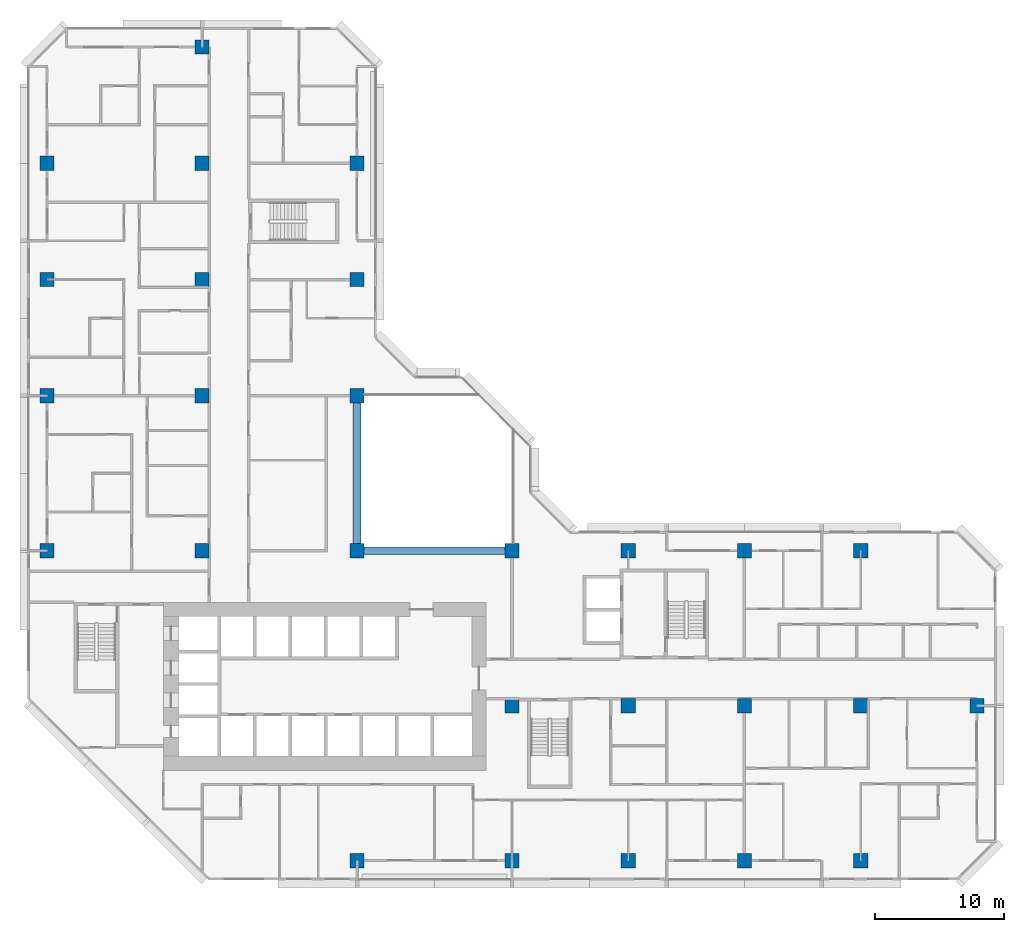
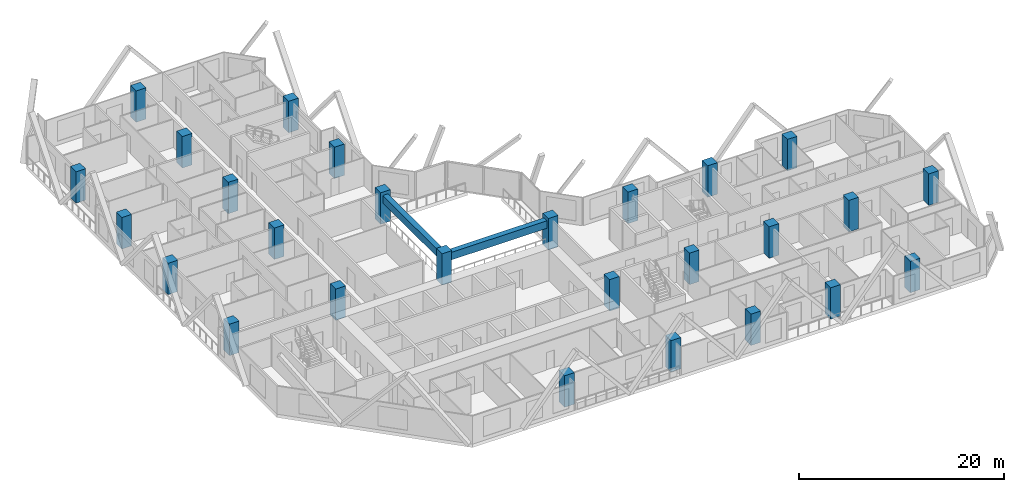
# One storey, part 1 of 15: 27 columns, 2 beams.
"""IFC4 building model written with IfcOpenShell, lengths in metres."""

from ifc_helpers import new_model, si_unit, direction, frame, origin, origin_2d, place, context, subcontext, project, spatial, rectangle, extrude, material, material_profile, profile_set, type_object, element, save


model = new_model("IFC4")

# Units and contexts
model_context = context("Model", 3, precision=1e-05, world=origin(), true_north=direction((0.0, 1.0)))
body_context = subcontext(model_context, "Body", "Model", "MODEL_VIEW")
ifc_project = project(units=[si_unit("LENGTHUNIT", "METRE"), si_unit("AREAUNIT", "SQUARE_METRE"), si_unit("VOLUMEUNIT", "CUBIC_METRE"), si_unit("PLANEANGLEUNIT", "RADIAN"), si_unit("MASSUNIT", "GRAM", prefix="KILO")], contexts=[model_context])

# Site, building, storey
site_placement = place(None, origin())
site = spatial("IfcSite", under=ifc_project, at=site_placement, CompositionType="ELEMENT")
building_placement = place(site_placement, origin())
building = spatial("IfcBuilding", under=site, at=building_placement, Name="Chenar Terraces", CompositionType="ELEMENT")
storey_placement = place(building_placement, frame((0.0, 0.0, 48.89990234375)))
storey = spatial("IfcBuildingStorey", under=building, at=storey_placement, Name="L09", CompositionType="ELEMENT", Elevation=48.89990234375)

# Columns
ifc_material_1 = material(Name="Concrete C70/85", Category="concrete")
ifc_material_profile_1 = material_profile(ifc_material_1, rectangle(XDim=1.10009765625, YDim=1.10009765625, at=origin_2d()), Name="C 1100 x 1100")
ifc_profile_set_1 = profile_set([ifc_material_profile_1], Name="Concrete C70/85")
column_type = type_object("IfcColumnType", Name="Column C 1100 x 1100 Concrete C70/85", PredefinedType="COLUMN", material=ifc_profile_set_1)
column_1_placement = place(storey_placement, frame((0.0, 24.0, 0.0), z_axis=(0.0, 0.0, 1.0), x_axis=(1.0, 0.0, 0.0)))
element("IfcColumn", 1, at=column_1_placement, inside=storey, type_object=column_type, Name="Column 5/G L09", PredefinedType="COLUMN", context=body_context, shape_type="SweptSolid", body=[
    extrude(rectangle(XDim=1.10009765625, YDim=1.10009765625, at=origin_2d()), origin(), (0.0, 0.0, 1.0), 3.75),
])
column_2_placement = place(storey_placement, frame((0.0, 36.0, 0.0), z_axis=(0.0, 0.0, 1.0), x_axis=(1.0, 0.0, 0.0)))
element("IfcColumn", 2, at=column_2_placement, inside=storey, type_object=column_type, Name="Column 5/H L09", PredefinedType="COLUMN", context=body_context, shape_type="SweptSolid", body=[
    extrude(rectangle(XDim=1.10009765625, YDim=1.10009765625, at=origin_2d()), origin(), (0.0, 0.0, 1.0), 3.75),
])
column_3_placement = place(storey_placement, frame((0.0, 45.0, 0.0), z_axis=(0.0, 0.0, 1.0), x_axis=(1.0, 0.0, 0.0)))
element("IfcColumn", 3, at=column_3_placement, inside=storey, type_object=column_type, Name="Column 5/J L09", PredefinedType="COLUMN", context=body_context, shape_type="SweptSolid", body=[
    extrude(rectangle(XDim=1.10009765625, YDim=1.10009765625, at=origin_2d()), origin(), (0.0, 0.0, 1.0), 3.75),
])
for number, where, z_axis, x_axis, name in (
    (4, (0.0, 54.0, 0.0), (0.0, 0.0, 1.0), (1.0, 0.0, 0.0), "Column 5/K L09"),
    (5, (12.0, 24.0, 0.0), (0.0, 0.0, 1.0), (1.0, 0.0, 0.0), "Column 6/G L09"),
    (6, (12.0, 36.0, 0.0), (0.0, 0.0, 1.0), (1.0, 0.0, 0.0), "Column 6/H L09"),
    (7, (12.0, 45.0, 0.0), (0.0, 0.0, 1.0), (1.0, 0.0, 0.0), "Column 6/J L09"),
    (8, (12.0, 54.0, 0.0), (0.0, 0.0, 1.0), (1.0, 0.0, 0.0), "Column 6/K L09"),
    (9, (12.0, 63.0, 0.0), (0.0, 0.0, 1.0), (1.0, 0.0, 0.0), "Column 6/L L09"),
    (10, (24.0, 0.0, 0.0), (0.0, 0.0, 1.0), (1.0, 0.0, 0.0), "Column 7/E L09"),
    (11, (24.0, 24.0, 0.0), (0.0, 0.0, 1.0), (1.0, 0.0, 0.0), "Column 7/G L09"),
    (12, (24.0, 36.0, 0.0), (0.0, 0.0, 1.0), (1.0, 0.0, 0.0), "Column 7/H L09"),
    (13, (24.0, 45.0, 0.0), (0.0, 0.0, 1.0), (1.0, 0.0, 0.0), "Column 7/J L09"),
    (14, (24.0, 54.0, 0.0), (0.0, 0.0, 1.0), (1.0, 0.0, 0.0), "Column 7/K L09"),
    (15, (36.0, 0.0, 0.0), (0.0, 0.0, 1.0), (1.0, 0.0, 0.0), "Column 8/E L09"),
    (16, (36.0, 12.0, 0.0), (0.0, 0.0, 1.0), (1.0, 0.0, 0.0), "Column 8/F L09"),
    (17, (36.0, 24.0, 0.0), (0.0, 0.0, 1.0), (1.0, 0.0, 0.0), "Column 8/G L09"),
    (18, (45.0, 0.0, 0.0), (0.0, 0.0, 1.0), (1.0, 0.0, 0.0), "Column 9/E L09"),
    (19, (45.0, 12.0, 0.0), (0.0, 0.0, 1.0), (1.0, 0.0, 0.0), "Column 9/F L09"),
    (20, (45.0, 24.0, 0.0), (0.0, 0.0, 1.0), (1.0, 0.0, 0.0), "Column 9/G L09"),
    (21, (54.0, 0.0, 0.0), (0.0, 0.0, 1.0), (1.0, 0.0, 0.0), "Column 10/E L09"),
    (22, (54.0, 12.0, 0.0), (0.0, 0.0, 1.0), (1.0, 0.0, 0.0), "Column 10/F L09"),
    (23, (54.0, 24.0, 0.0), (0.0, 0.0, 1.0), (1.0, 0.0, 0.0), "Column 10/G L09"),
    (24, (63.0, 0.0, 0.0), (0.0, 0.0, 1.0), (1.0, 0.0, 0.0), "Column 11/E L09"),
    (25, (63.0, 12.0, 0.0), (0.0, 0.0, 1.0), (1.0, 0.0, 0.0), "Column 11/F L09"),
    (26, (63.0, 24.0, 0.0), (0.0, 0.0, 1.0), (1.0, 0.0, 0.0), "Column 11/G L09"),
    (27, (72.0, 12.0, 0.0), (0.0, 0.0, 1.0), (1.0, 0.0, 0.0), "Column 12/F L09"),
):
    element("IfcColumn", number, at=place(storey_placement, frame(where, z_axis=z_axis, x_axis=x_axis)), inside=storey, type_object=column_type, Name=name, PredefinedType="COLUMN", context=body_context, shape_type="SweptSolid", body=[
        extrude(rectangle(XDim=1.10009765625, YDim=1.10009765625, at=origin_2d()), origin(), (0.0, 0.0, 1.0), 3.75),
    ])

# Beams
ifc_material_2 = material(Name="Concrete C40/50", Category="concrete")
ifc_material_profile_2 = material_profile(ifc_material_2, rectangle(XDim=0.60009765625, YDim=0.89990234375, at=origin_2d()), Name="RC 600 x 900")
ifc_profile_set_2 = profile_set([ifc_material_profile_2], Name="Concrete C40/50")
beam_type = type_object("IfcBeamType", Name="Atrium edge beam 600 x 900 Concrete C40/50", PredefinedType="BEAM", material=ifc_profile_set_2)
for number, where, z_axis, x_axis, name in (
    (28, (24.550048828125, 24.0, 2.900146484375), (1.0, 0.0, 0.0), (0.0, 1.0, 0.0), "Atrium edge beam L10 1"),
    (29, (24.0, 35.449951171875, 2.900146484375), (0.0, -1.0, 0.0), (1.0, 0.0, 0.0), "Atrium edge beam L10 4"),
):
    element("IfcBeam", number, at=place(storey_placement, frame(where, z_axis=z_axis, x_axis=x_axis)), inside=storey, type_object=beam_type, Name=name, PredefinedType="BEAM", context=body_context, shape_type="SweptSolid", body=[
        extrude(rectangle(XDim=0.60009765625, YDim=0.89990234375, at=origin_2d()), origin(), (0.0, 0.0, 1.0), 10.89990234375),
    ])

save(model, "model.ifc")
